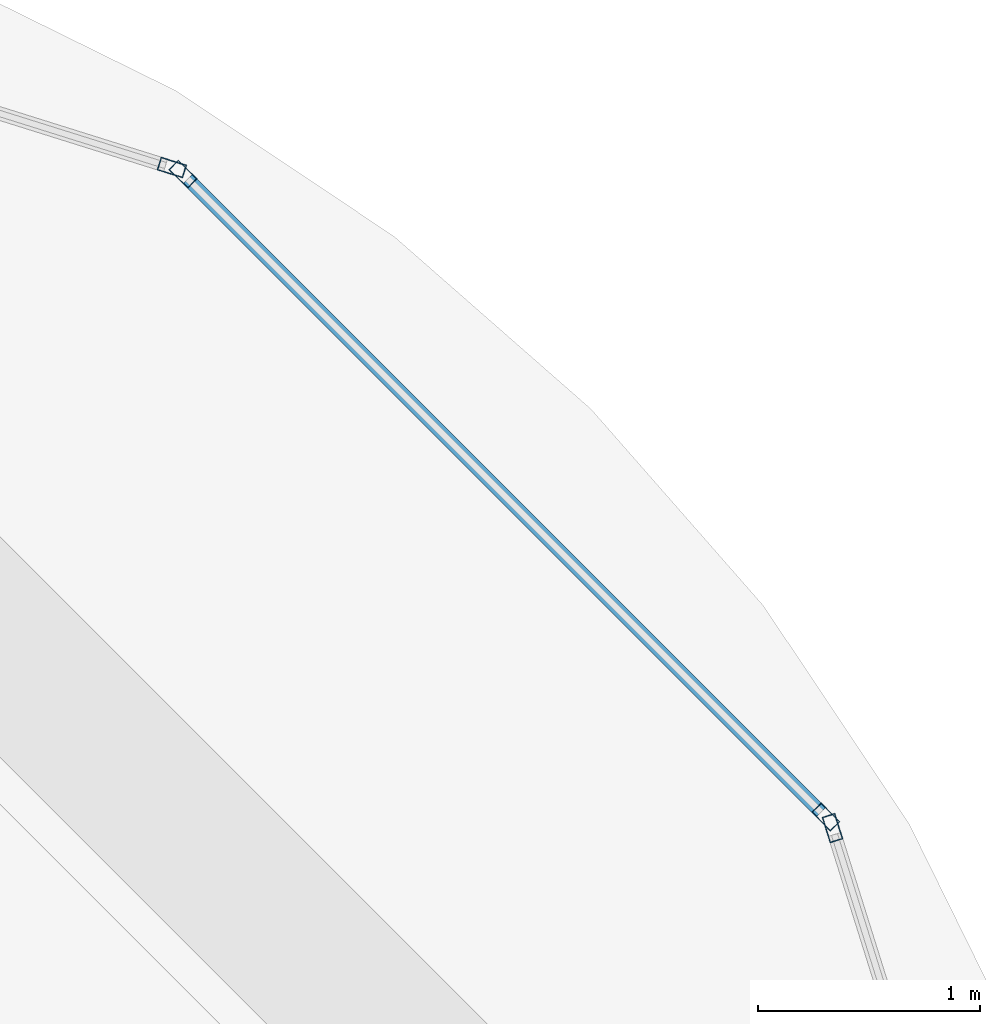
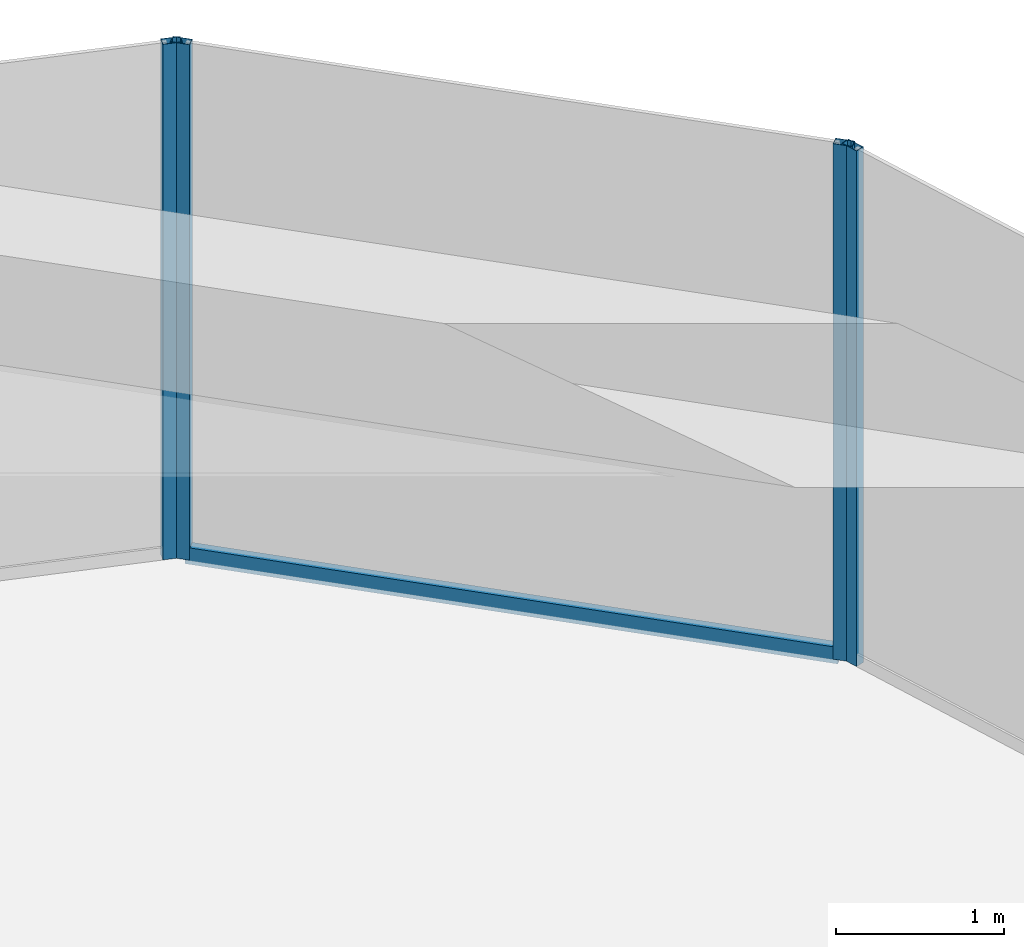
# One storey, part 39 of 44: 5 members, 3 elements without a shape of their own.
"""IFC4 building model written with IfcOpenShell, lengths in metres."""

from ifc_helpers import new_model, si_unit, direction, frame, origin, origin_2d, place, context, subcontext, project, spatial, hollow_rectangle, extrude, material, material_profile, profile_set, type_object, element, aggregate, save


model = new_model("IFC4")

# Units and contexts
model_context = context("Model", 3, precision=1e-05, world=origin(), true_north=direction((0.0, 1.0)))
body_context = subcontext(model_context, "Body", "Model", "MODEL_VIEW")
ifc_project = project(units=[si_unit("LENGTHUNIT", "METRE"), si_unit("AREAUNIT", "SQUARE_METRE"), si_unit("VOLUMEUNIT", "CUBIC_METRE"), si_unit("PLANEANGLEUNIT", "RADIAN"), si_unit("MASSUNIT", "GRAM", prefix="KILO")], contexts=[model_context])

# Site, building, storey
site_placement = place(None, origin())
site = spatial("IfcSite", under=ifc_project, at=site_placement, CompositionType="ELEMENT")
building_placement = place(site_placement, origin())
building = spatial("IfcBuilding", under=site, at=building_placement, Name="Zorevar Civic Tower", CompositionType="ELEMENT")
storey_placement = place(building_placement, frame((0.0, 0.0, 287.39990234375)))
storey = spatial("IfcBuildingStorey", under=building, at=storey_placement, Name="L70", CompositionType="ELEMENT", Elevation=287.39990234375)

# Curtain wall, member
ifc_material_1 = material(Name="Dark grey solar-control glass in black aluminium frame", Category="aluminium")
curtain_wall_type = type_object("IfcCurtainWallType", Name="Curtain wall CW5 top zone", PredefinedType="NOTDEFINED", material=ifc_material_1)
curtain_wall_1_placement = place(storey_placement, origin())
curtain_wall_1 = element("IfcCurtainWall", 1, at=curtain_wall_1_placement, inside=storey, type_object=curtain_wall_type, Name="CW5 L70", PredefinedType="NOTDEFINED")
ifc_material_2 = material(Name="Aluminium, black anodised", Category="aluminium")
ifc_material_profile_1 = material_profile(ifc_material_2, hollow_rectangle(XDim=0.06005859375, YDim=0.1201171875, WallThickness=0.0029296875, at=origin_2d()), Name="AL 120x60x3")
ifc_profile_set_1 = profile_set([ifc_material_profile_1], Name="Aluminium, black anodised")
member_type_1 = type_object("IfcMemberType", Name="CW5 mullion AL 120x60x3", PredefinedType="MULLION", material=ifc_profile_set_1)
member_1_placement = place(storey_placement, frame((52.449951171875, 40.479248046875, 0.0), z_axis=(0.0, 0.0, 1.0), x_axis=(-0.954153437674, -0.299317920238, 0.0)))
member_1 = element("IfcMember", 2, at=member_1_placement, type_object=member_type_1, Name="CW5 mullion 2", PredefinedType="MULLION", context=body_context, shape_type="SweptSolid", body=[
    extrude(hollow_rectangle(XDim=0.06005859375, YDim=0.1201171875, WallThickness=0.0029296875, at=origin_2d()), origin(), (0.0, 0.0, 1.0), 3.75),
])
aggregate(curtain_wall_1, [member_1])

# Curtain wall, members
curtain_wall_2_placement = place(storey_placement, origin())
curtain_wall_2 = element("IfcCurtainWall", 3, at=curtain_wall_2_placement, inside=storey, type_object=curtain_wall_type, Name="CW5 L70", PredefinedType="NOTDEFINED")
member_2_placement = place(storey_placement, frame((52.419677734375, 40.529052734375, 0.0), z_axis=(0.0, 0.0, 1.0), x_axis=(-0.707106781187, -0.707106781187, 0.0)))
member_2 = element("IfcMember", 4, at=member_2_placement, type_object=member_type_1, Name="CW5 mullion 1", PredefinedType="MULLION", context=body_context, shape_type="SweptSolid", body=[
    extrude(hollow_rectangle(XDim=0.06005859375, YDim=0.1201171875, WallThickness=0.0029296875, at=origin_2d()), origin(), (0.0, 0.0, 1.0), 3.75),
])
member_3_placement = place(storey_placement, frame((49.529052734375, 43.419677734375, 0.0), z_axis=(0.0, 0.0, 1.0), x_axis=(-0.707106781187, -0.707106781187, 0.0)))
member_3 = element("IfcMember", 5, at=member_3_placement, type_object=member_type_1, Name="CW5 mullion 2", PredefinedType="MULLION", context=body_context, shape_type="SweptSolid", body=[
    extrude(hollow_rectangle(XDim=0.06005859375, YDim=0.1201171875, WallThickness=0.0029296875, at=origin_2d()), origin(), (0.0, 0.0, 1.0), 3.75),
])

# Curtain wall, member
curtain_wall_3_placement = place(storey_placement, origin())
curtain_wall_3 = element("IfcCurtainWall", 6, at=curtain_wall_3_placement, inside=storey, type_object=curtain_wall_type, Name="CW5 L70", PredefinedType="NOTDEFINED")
member_4_placement = place(storey_placement, frame((49.479248046875, 43.449951171875, 0.0), z_axis=(0.0, 0.0, 1.0), x_axis=(-0.299317920238, -0.954153437674, 0.0)))
member_4 = element("IfcMember", 7, at=member_4_placement, type_object=member_type_1, Name="CW5 mullion 1", PredefinedType="MULLION", context=body_context, shape_type="SweptSolid", body=[
    extrude(hollow_rectangle(XDim=0.06005859375, YDim=0.1201171875, WallThickness=0.0029296875, at=origin_2d()), origin(), (0.0, 0.0, 1.0), 3.75),
])
aggregate(curtain_wall_3, [member_4])

# Member
ifc_material_3 = material(Name="Aluminium, black anodised", Category="aluminium")
ifc_material_profile_2 = material_profile(ifc_material_3, hollow_rectangle(XDim=0.06005859375, YDim=0.1201171875, WallThickness=0.0029296875, at=origin_2d()), Name="AL 120x60x3")
ifc_profile_set_2 = profile_set([ifc_material_profile_2], Name="Aluminium, black anodised")
member_type_2 = type_object("IfcMemberType", Name="CW5 transom AL 120x60x3", PredefinedType="USERDEFINED", material=ifc_profile_set_2)
member_5_placement = place(storey_placement, frame((52.3984375, 40.55029296875, 0.030029296875), z_axis=(-0.707106781187, 0.707106781187, 0.0), x_axis=(-0.707106781187, -0.707106781187, 0.0)))
member_5 = element("IfcMember", 8, at=member_5_placement, type_object=member_type_2, Name="CW5 sill transom", ObjectType="TRANSOM", PredefinedType="USERDEFINED", context=body_context, shape_type="SweptSolid", body=[
    extrude(hollow_rectangle(XDim=0.06005859375, YDim=0.1201171875, WallThickness=0.0029296875, at=origin_2d()), origin(), (0.0, 0.0, 1.0), 4.02783203125),
])

aggregate(curtain_wall_2, [member_2, member_3, member_5])

save(model, "model.ifc")
